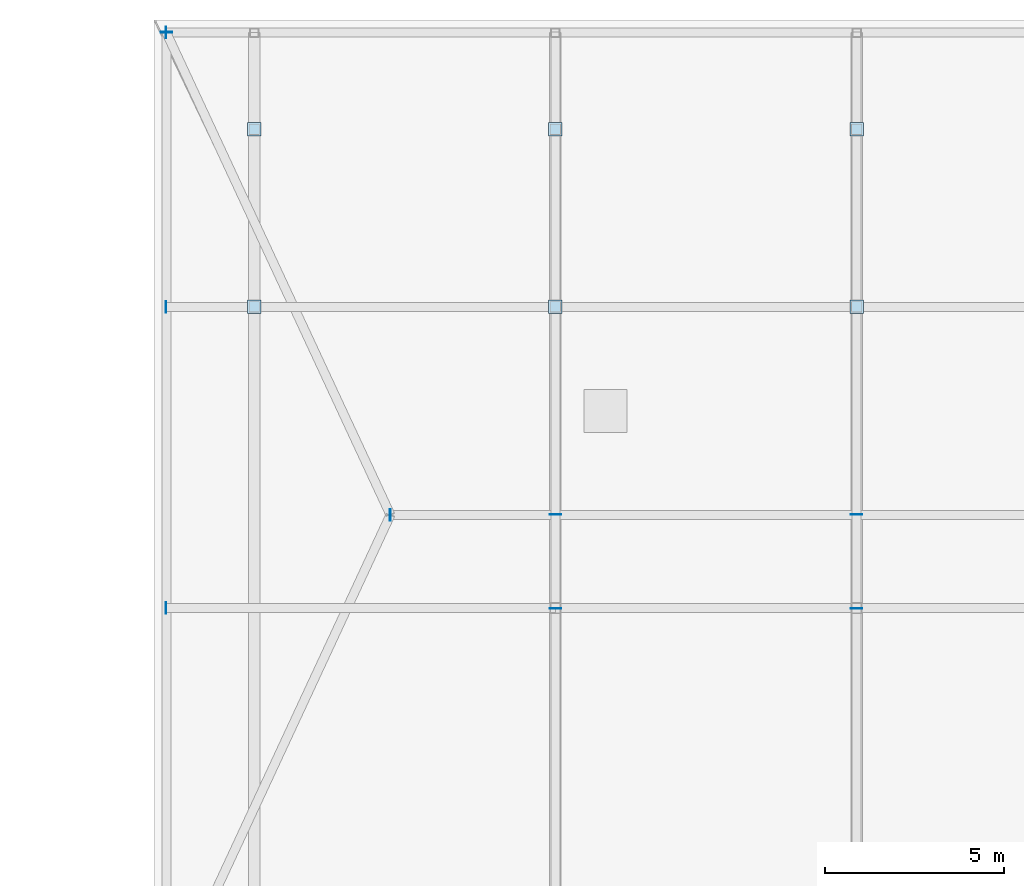
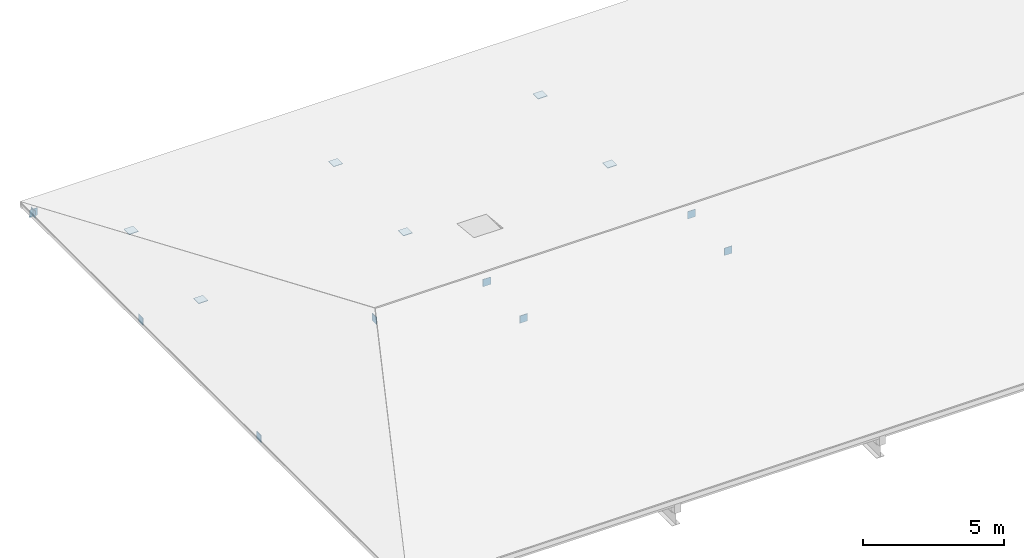
# One storey, part 11 of 13: 15 plates.
"""IFC4 building model written with IfcOpenShell, lengths in metres."""

from ifc_helpers import new_model, si_unit, direction, frame, origin, origin_2d, place, context, subcontext, project, spatial, rectangle, extrude, material, layer, layer_set, type_object, element, save


model = new_model("IFC4")

# Units and contexts
model_context = context("Model", 3, precision=1e-05, world=origin(), true_north=direction((0.0, 1.0)))
body_context = subcontext(model_context, "Body", "Model", "MODEL_VIEW")
ifc_project = project(units=[si_unit("LENGTHUNIT", "METRE"), si_unit("AREAUNIT", "SQUARE_METRE"), si_unit("VOLUMEUNIT", "CUBIC_METRE"), si_unit("PLANEANGLEUNIT", "RADIAN"), si_unit("MASSUNIT", "GRAM", prefix="KILO")], contexts=[model_context])

# Site, building, storey
site_placement = place(None, origin())
site = spatial("IfcSite", under=ifc_project, at=site_placement, CompositionType="ELEMENT")
building_placement = place(site_placement, origin())
building = spatial("IfcBuilding", under=site, at=building_placement, Name="Cumbredor Promenade Congress Hotel", CompositionType="ELEMENT")
storey_placement = place(building_placement, frame((0.0, 0.0, 38.639892578125)))
storey = spatial("IfcBuildingStorey", under=building, at=storey_placement, Name="RF", CompositionType="ELEMENT", Elevation=38.639892578125)

# Plates
ifc_material = material(Name="Steel ASTM A572 Grade 50", Category="steel")
ifc_layer_1 = layer(ifc_material, 0.02001953125, Name="Steel ASTM A572 Grade 50", Category="steel")
ifc_layer_set_1 = layer_set([ifc_layer_1], Name="Steel ASTM A572 Grade 50")
plate_type_1 = type_object("IfcPlateType", Name="Hollow Section End Cap Plate CP-04", PredefinedType="USERDEFINED", material=ifc_layer_set_1)
for number, where, z_axis, x_axis, name in (
    (1, (8.39990234375, 109.199951171875, 0.218017578125), (0.0, 0.0, 1.0), (1.0, 0.0, 0.0), "Hotel Roof Bearing Post X8N End Cap Plate"),
    (2, (8.39990234375, 114.14990234375, 0.218017578125), (0.0, 0.0, 1.0), (1.0, 0.0, 0.0), "Hotel Roof Bearing Post X8N2 End Cap Plate"),
    (3, (16.800048828125, 109.199951171875, 0.218017578125), (0.0, 0.0, 1.0), (1.0, 0.0, 0.0), "Hotel Roof Bearing Post X16N End Cap Plate"),
    (4, (16.800048828125, 114.14990234375, 0.218017578125), (0.0, 0.0, 1.0), (1.0, 0.0, 0.0), "Hotel Roof Bearing Post X16N2 End Cap Plate"),
    (5, (25.199951171875, 109.199951171875, 0.218017578125), (0.0, 0.0, 1.0), (1.0, 0.0, 0.0), "Hotel Roof Bearing Post X25N End Cap Plate"),
    (6, (25.199951171875, 114.14990234375, 0.218017578125), (0.0, 0.0, 1.0), (1.0, 0.0, 0.0), "Hotel Roof Bearing Post X25N2 End Cap Plate"),
):
    element("IfcPlate", number, at=place(storey_placement, frame(where, z_axis=z_axis, x_axis=x_axis)), inside=storey, type_object=plate_type_1, Name=name, ObjectType="CAP PLATE", PredefinedType="USERDEFINED", context=body_context, shape_type="SweptSolid", body=[
        extrude(rectangle(XDim=0.3798828125, YDim=0.3798828125, at=origin_2d()), origin(), (0.0, 0.0, 1.0), 0.02001953125),
    ])
ifc_layer_2 = layer(ifc_material, 0.02001953125, Name="Steel ASTM A572 Grade 50", Category="steel")
ifc_layer_set_2 = layer_set([ifc_layer_2], Name="Steel ASTM A572 Grade 50")
plate_type_2 = type_object("IfcPlateType", Name="Hollow Section End Cap Plate CP-05", PredefinedType="USERDEFINED", material=ifc_layer_set_2)
for number, where, z_axis, x_axis, name in (
    (7, (5.94189453125, 100.800048828125, 0.06005859375), (0.0, 0.0, 1.0), (1.0, 0.0, 0.0), "Hotel Broad-Eave Longitudinal Tie M-W Start Cap Plate"),
    (8, (5.94189453125, 109.199951171875, 0.06005859375), (0.0, 0.0, 1.0), (1.0, 0.0, 0.0), "Hotel Broad-Eave Longitudinal Tie N-W Start Cap Plate"),
    (9, (12.19189453125, 103.39990234375, 1.41015625), (0.0, 0.0, 1.0), (1.0, 0.0, 0.0), "Hotel Tropical Roof Main Ridge Beam Start Cap Plate"),
    (10, (16.800048828125, 100.7919921875, 1.41015625), (0.0, 0.0, 1.0), (0.0, 1.0, 0.0), "Hotel Roof Ridge Cross Strut 01 Start Cap Plate"),
    (11, (16.800048828125, 103.407958984375, 1.41015625), (0.0, 0.0, 1.0), (0.0, 1.0, 0.0), "Hotel Roof Ridge Cross Strut 01 End Cap Plate"),
    (12, (25.199951171875, 100.7919921875, 1.41015625), (0.0, 0.0, 1.0), (0.0, 1.0, 0.0), "Hotel Roof Ridge Cross Strut 02 Start Cap Plate"),
    (13, (25.199951171875, 103.407958984375, 1.41015625), (0.0, 0.0, 1.0), (0.0, 1.0, 0.0), "Hotel Roof Ridge Cross Strut 02 End Cap Plate"),
    (14, (5.94189453125, 116.85009765625, 0.06005859375), (0.0, 0.0, 1.0), (1.0, 0.0, 0.0), "Hotel Broad-Eave Perimeter Fascia Beam N Start Cap Plate"),
    (15, (5.949951171875, 116.85791015625, 0.06005859375), (0.0, 0.0, 1.0), (0.0, 1.0, 0.0), "Hotel Broad-Eave Perimeter Fascia Beam W End Cap Plate"),
):
    element("IfcPlate", number, at=place(storey_placement, frame(where, z_axis=z_axis, x_axis=x_axis)), inside=storey, type_object=plate_type_2, Name=name, ObjectType="CAP PLATE", PredefinedType="USERDEFINED", context=body_context, shape_type="SweptSolid", body=[
        extrude(rectangle(XDim=0.02001953125, YDim=0.320068359375, at=origin_2d()), origin(), (0.0, 0.0, 1.0), 0.320068359375),
    ])

save(model, "model.ifc")
